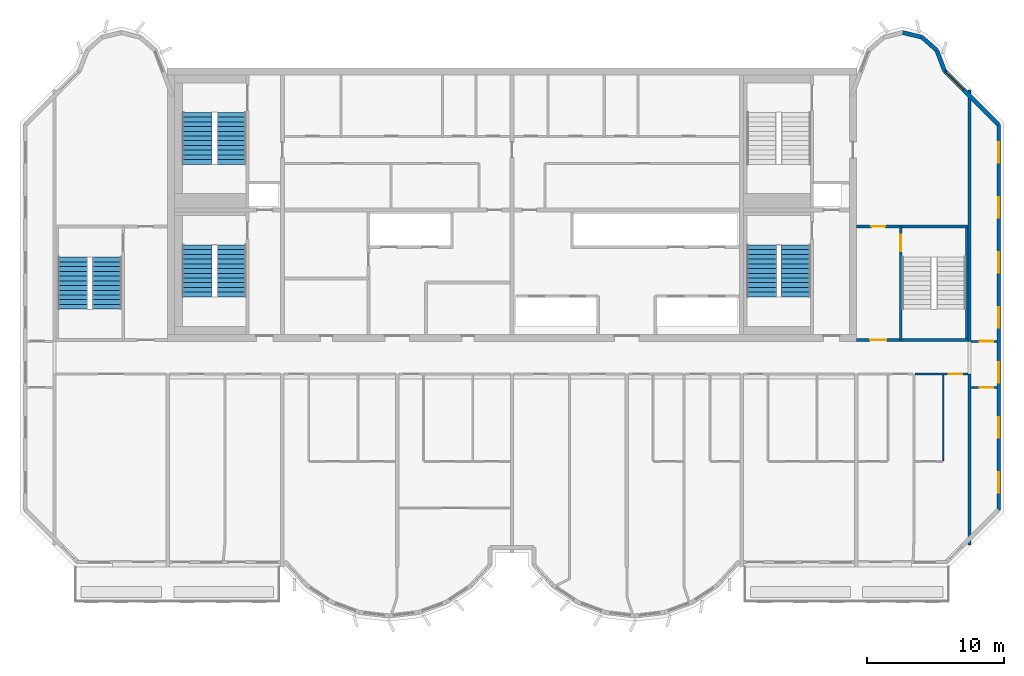
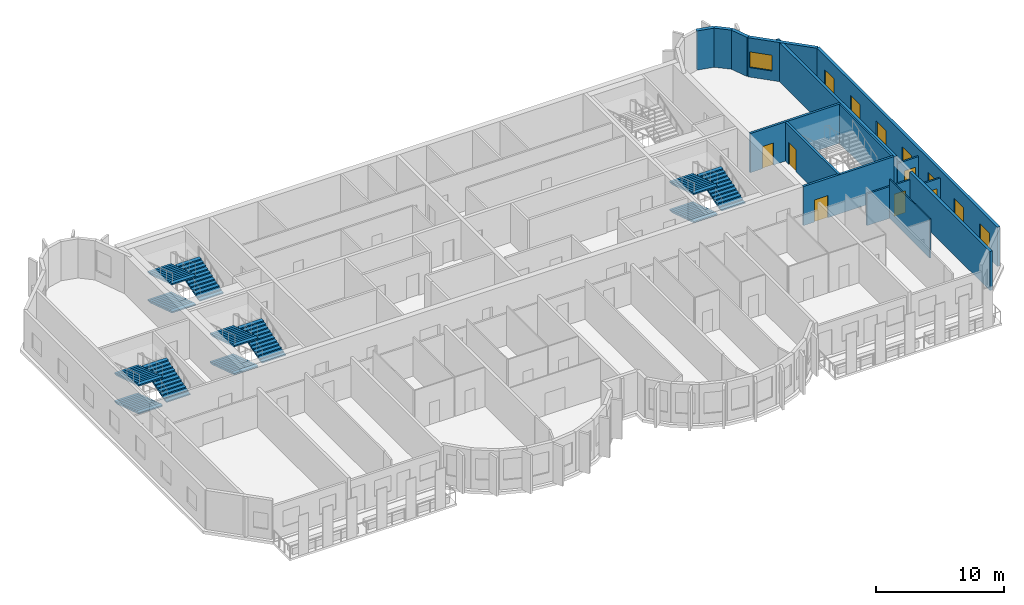
# One storey, part 8 of 12: 15 walls, 12 stair flights, 8 windows, 6 doors, 14 openings, 4 elements without a shape of their own.
"""IFC4 building model written with IfcOpenShell, lengths in metres."""

from ifc_helpers import new_model, si_unit, direction, frame, frame_2d, origin, place, context, subcontext, project, spatial, polyline, rectangle, outline, extrude, source, transform, mapped, material, layer, layer_set, type_object, element, fill, aggregate, save


model = new_model("IFC4")

# Units and contexts
model_context = context("Model", 3, precision=1e-05, world=origin(), true_north=direction((0.0, 1.0)))
body_context = subcontext(model_context, "Body", "Model", "MODEL_VIEW")
ifc_project = project(units=[si_unit("LENGTHUNIT", "METRE"), si_unit("AREAUNIT", "SQUARE_METRE"), si_unit("VOLUMEUNIT", "CUBIC_METRE"), si_unit("PLANEANGLEUNIT", "RADIAN"), si_unit("MASSUNIT", "GRAM", prefix="KILO")], contexts=[model_context])

# Site, building, storey
site_placement = place(None, origin())
site = spatial("IfcSite", under=ifc_project, at=site_placement, CompositionType="ELEMENT")
building_placement = place(site_placement, origin())
building = spatial("IfcBuilding", under=site, at=building_placement, Name="Vanashikhar Sky Hotel", CompositionType="ELEMENT")
storey_placement = place(building_placement, frame((0.0, 0.0, 309.699951171875)))
storey = spatial("IfcBuildingStorey", under=building, at=storey_placement, Name="L74", CompositionType="ELEMENT", Elevation=309.699951171875)

# Walls
ifc_material_1 = material(Name="Concrete M50", Category="concrete")
ifc_layer_1 = layer(ifc_material_1, 0.25)
ifc_layer_set_1 = layer_set([ifc_layer_1], Name="RC shear wall 250 Concrete M50")
wall_type_1 = type_object("IfcWallType", Name="RC shear wall 250 Concrete M50", PredefinedType="SHEAR", material=ifc_layer_set_1)
shared_shape_1 = source(origin(), body_context, "Body", "SweptSolid", [
    extrude(rectangle(XDim=12.5, YDim=0.25, at=frame_2d((6.25, 0.0))), origin(), (0.0, 0.0, 1.0), 3.719970703125),
])
wall_1_placement = place(storey_placement, frame((83.875, 7.10009765625, 0.0), z_axis=(0.0, 0.0, 1.0), x_axis=(0.0, 1.0, 0.0)))
element("IfcWall", 1, at=wall_1_placement, inside=storey, type_object=wall_type_1, Name="CW-L74-XW11-1", PredefinedType="SHEAR", context=body_context, shape_type="MappedRepresentation", body=[
    mapped(shared_shape_1, transform((0.0, 0.0, 0.0), scale=1.0)),
])
shared_shape_2 = source(origin(), body_context, "Body", "SweptSolid", [
    extrude(rectangle(XDim=18.39990234375, YDim=0.25, at=frame_2d((9.199951171875, 0.0))), origin(), (0.0, 0.0, 1.0), 3.719970703125),
])
wall_2_placement = place(storey_placement, frame((83.875, 22.0, 0.0), z_axis=(0.0, 0.0, 1.0), x_axis=(0.0, 1.0, 0.0)))
element("IfcWall", 2, at=wall_2_placement, inside=storey, type_object=wall_type_1, Name="CW-L74-XW11-2", PredefinedType="SHEAR", context=body_context, shape_type="MappedRepresentation", body=[
    mapped(shared_shape_2, transform((0.0, 0.0, 0.0), scale=1.0)),
])

# Wall, opening, window
ifc_layer_2 = layer(ifc_material_1, 0.300048828125)
ifc_layer_set_2 = layer_set([ifc_layer_2], Name="Lobe wall 300")
wall_type_2 = type_object("IfcWallType", Name="Lobe wall 300", PredefinedType="SOLIDWALL", material=ifc_layer_set_2)
shared_shape_3 = source(origin(), body_context, "Body", "SweptSolid", [
    extrude(rectangle(XDim=5.576416015625, YDim=0.300048828125, at=frame_2d((2.7880859375, 0.0))), origin(), (0.0, 0.0, 1.0), 3.719970703125),
])
wall_3_placement = place(storey_placement, frame((86.0, 37.834228515625, 0.0), z_axis=(0.0, 0.0, 1.0), x_axis=(-0.707106781187, 0.707106781187, 0.0)))
wall_3 = element("IfcWall", 3, at=wall_3_placement, inside=storey, type_object=wall_type_2, Name="Corner wall", PredefinedType="SOLIDWALL", context=body_context, shape_type="MappedRepresentation", body=[
    mapped(shared_shape_3, transform((0.0, 0.0, 0.0), scale=1.0)),
])
shared_shape_4 = source(origin(), body_context, "Body", "SweptSolid", [
    extrude(rectangle(XDim=1.800048828125, YDim=1.5, at=frame_2d((0.89990234375, 0.75))), frame((0.0, 0.16015625, 0.0), z_axis=(0.0, -1.0, 0.0), x_axis=(1.0, 0.0, 0.0)), (0.0, 0.0, 1.0), 0.320068359375),
])
opening_1_placement = place(wall_3_placement, frame((3.640869140625, 0.0, 0.89990234375)))
opening_1 = element("IfcOpeningElement", 4, at=opening_1_placement, cuts=wall_3, Name="Opening WN-4", PredefinedType="OPENING", context=body_context, shape_type="MappedRepresentation", body=[
    mapped(shared_shape_4, transform((0.0, 0.0, 0.0), scale=1.0)),
])
ifc_material_2 = material(Name="Glass", Category="glass")
window_type_1 = type_object("IfcWindowType", Name="Corner window 1800 x 1500", PartitioningType="SINGLE_PANEL", PredefinedType="WINDOW", material=ifc_material_2)
shared_shape_5 = source(origin(), body_context, "Body", "SweptSolid", [
    extrude(rectangle(XDim=1.800048828125, YDim=1.5, at=frame_2d((0.89990234375, 0.75))), frame((0.0, 0.030029296875, 0.0), z_axis=(0.0, -1.0, 0.0), x_axis=(1.0, 0.0, 0.0)), (0.0, 0.0, 1.0), 0.06005859375),
])
window_1_placement = place(opening_1_placement, origin())
window_1 = element("IfcWindow", 5, at=window_1_placement, inside=storey, type_object=window_type_1, Name="Window WN-4", OverallHeight=1.5, OverallWidth=1.800048828125, PartitioningType="SINGLE_PANEL", PredefinedType="WINDOW", context=body_context, shape_type="MappedRepresentation", body=[
    mapped(shared_shape_5, transform((0.0, 0.0, 0.0), scale=1.0)),
])
fill(opening_1, window_1)

# Walls
shared_shape_6 = source(origin(), body_context, "Body", "SweptSolid", [
    extrude(rectangle(XDim=1.6220703125, YDim=0.300048828125, at=frame_2d((0.81103515625, 0.0))), origin(), (0.0, 0.0, 1.0), 3.719970703125),
])
wall_4_placement = place(storey_placement, frame((82.056884765625, 41.77734375, 0.0), z_axis=(0.0, 0.0, 1.0), x_axis=(-0.357778527068, 0.933806471154, 0.0)))
element("IfcWall", 6, at=wall_4_placement, inside=storey, type_object=wall_type_2, Name="Lobe wall", PredefinedType="SOLIDWALL", context=body_context, shape_type="MappedRepresentation", body=[
    mapped(shared_shape_6, transform((0.0, 0.0, 0.0), scale=1.0)),
])
shared_shape_7 = source(origin(), body_context, "Body", "SweptSolid", [
    extrude(rectangle(XDim=1.43994140625, YDim=0.300048828125, at=frame_2d((0.719970703125, 0.0))), origin(), (0.0, 0.0, 1.0), 3.719970703125),
])
wall_5_placement = place(storey_placement, frame((81.4765625, 43.2919921875, 0.0), z_axis=(0.0, 0.0, 1.0), x_axis=(-0.74957555648, 0.661918790432, 0.0)))
element("IfcWall", 7, at=wall_5_placement, inside=storey, type_object=wall_type_2, Name="Lobe wall", PredefinedType="SOLIDWALL", context=body_context, shape_type="MappedRepresentation", body=[
    mapped(shared_shape_7, transform((0.0, 0.0, 0.0), scale=1.0)),
])
shared_shape_8 = source(origin(), body_context, "Body", "SweptSolid", [
    extrude(rectangle(XDim=1.438720703125, YDim=0.300048828125, at=frame_2d((0.71923828125, 0.0))), origin(), (0.0, 0.0, 1.0), 3.719970703125),
])
wall_6_placement = place(storey_placement, frame((80.397216796875, 44.2451171875, 0.0), z_axis=(0.0, 0.0, 1.0), x_axis=(-0.971161932466, 0.238420848351, 0.0)))
element("IfcWall", 8, at=wall_6_placement, inside=storey, type_object=wall_type_2, Name="Lobe wall", PredefinedType="SOLIDWALL", context=body_context, shape_type="MappedRepresentation", body=[
    mapped(shared_shape_8, transform((0.0, 0.0, 0.0), scale=1.0)),
])

# Wall, openings, windows
ifc_layer_3 = layer(ifc_material_1, 0.25)
ifc_layer_set_3 = layer_set([ifc_layer_3], Name="Rear and end board-marked wall 250")
wall_type_3 = type_object("IfcWallType", Name="Rear and end board-marked wall 250", PredefinedType="SOLIDWALL", material=ifc_layer_set_3)
shared_shape_9 = source(origin(), body_context, "Body", "SweptSolid", [
    extrude(rectangle(XDim=28.189453125, YDim=0.25, at=frame_2d((14.0947265625, 0.0))), origin(), (0.0, 0.0, 1.0), 3.719970703125),
])
wall_7_placement = place(storey_placement, frame((86.02490234375, 9.6552734375, 0.0), z_axis=(0.0, 0.0, 1.0), x_axis=(0.0, 1.0, 0.0)))
wall_7 = element("IfcWall", 9, at=wall_7_placement, inside=storey, type_object=wall_type_3, Name="End board-marked wall", PredefinedType="SOLIDWALL", context=body_context, shape_type="MappedRepresentation", body=[
    mapped(shared_shape_9, transform((0.0, 0.0, 0.0), scale=1.0)),
])
shared_shape_10 = source(origin(), body_context, "Body", "SweptSolid", [
    extrude(rectangle(XDim=1.5, YDim=1.5, at=frame_2d((0.75, 0.75))), frame((0.0, 0.135009765625, 0.0), z_axis=(0.0, -1.0, 0.0), x_axis=(1.0, 0.0, 0.0)), (0.0, 0.0, 1.0), 0.27001953125),
])
opening_2_placement = place(wall_7_placement, frame((1.263427734375, 0.0, 0.89990234375)))
opening_2 = element("IfcOpeningElement", 10, at=opening_2_placement, cuts=wall_7, Name="Opening WN-1", PredefinedType="OPENING", context=body_context, shape_type="MappedRepresentation", body=[
    mapped(shared_shape_10, transform((0.0, 0.0, 0.0), scale=1.0)),
])
opening_3_placement = place(wall_7_placement, frame((5.29052734375, 0.0, 0.89990234375)))
opening_3 = element("IfcOpeningElement", 11, at=opening_3_placement, cuts=wall_7, Name="Opening WN-1", PredefinedType="OPENING", context=body_context, shape_type="MappedRepresentation", body=[
    mapped(shared_shape_10, transform((0.0, 0.0, 0.0), scale=1.0)),
])
opening_4_placement = place(wall_7_placement, frame((9.317626953125, 0.0, 0.89990234375)))
opening_4 = element("IfcOpeningElement", 12, at=opening_4_placement, cuts=wall_7, Name="Opening WN-1", PredefinedType="OPENING", context=body_context, shape_type="MappedRepresentation", body=[
    mapped(shared_shape_10, transform((0.0, 0.0, 0.0), scale=1.0)),
])
opening_5_placement = place(wall_7_placement, frame((13.3447265625, 0.0, 0.89990234375)))
opening_5 = element("IfcOpeningElement", 13, at=opening_5_placement, cuts=wall_7, Name="Opening WN-1", PredefinedType="OPENING", context=body_context, shape_type="MappedRepresentation", body=[
    mapped(shared_shape_10, transform((0.0, 0.0, 0.0), scale=1.0)),
])
opening_6_placement = place(wall_7_placement, frame((17.371826171875, 0.0, 0.89990234375)))
opening_6 = element("IfcOpeningElement", 14, at=opening_6_placement, cuts=wall_7, Name="Opening WN-1", PredefinedType="OPENING", context=body_context, shape_type="MappedRepresentation", body=[
    mapped(shared_shape_10, transform((0.0, 0.0, 0.0), scale=1.0)),
])
opening_7_placement = place(wall_7_placement, frame((21.398681640625, 0.0, 0.89990234375)))
opening_7 = element("IfcOpeningElement", 15, at=opening_7_placement, cuts=wall_7, Name="Opening WN-1", PredefinedType="OPENING", context=body_context, shape_type="MappedRepresentation", body=[
    mapped(shared_shape_10, transform((0.0, 0.0, 0.0), scale=1.0)),
])
opening_8_placement = place(wall_7_placement, frame((25.42578125, 0.0, 0.89990234375)))
opening_8 = element("IfcOpeningElement", 16, at=opening_8_placement, cuts=wall_7, Name="Opening WN-1", PredefinedType="OPENING", context=body_context, shape_type="MappedRepresentation", body=[
    mapped(shared_shape_10, transform((0.0, 0.0, 0.0), scale=1.0)),
])
window_type_2 = type_object("IfcWindowType", Name="Window 1500 x 1500", PartitioningType="SINGLE_PANEL", PredefinedType="WINDOW", material=ifc_material_2)
shared_shape_11 = source(origin(), body_context, "Body", "SweptSolid", [
    extrude(rectangle(XDim=1.5, YDim=1.5, at=frame_2d((0.75, 0.75))), frame((0.0, 0.030029296875, 0.0), z_axis=(0.0, -1.0, 0.0), x_axis=(1.0, 0.0, 0.0)), (0.0, 0.0, 1.0), 0.06005859375),
])
window_2_placement = place(opening_2_placement, origin())
window_2 = element("IfcWindow", 17, at=window_2_placement, inside=storey, type_object=window_type_2, Name="Window WN-1", OverallHeight=1.5, OverallWidth=1.5, PartitioningType="SINGLE_PANEL", PredefinedType="WINDOW", context=body_context, shape_type="MappedRepresentation", body=[
    mapped(shared_shape_11, transform((0.0, 0.0, 0.0), scale=1.0)),
])
fill(opening_2, window_2)
window_3_placement = place(opening_3_placement, origin())
window_3 = element("IfcWindow", 18, at=window_3_placement, inside=storey, type_object=window_type_2, Name="Window WN-1", OverallHeight=1.5, OverallWidth=1.5, PartitioningType="SINGLE_PANEL", PredefinedType="WINDOW", context=body_context, shape_type="MappedRepresentation", body=[
    mapped(shared_shape_11, transform((0.0, 0.0, 0.0), scale=1.0)),
])
fill(opening_3, window_3)
window_4_placement = place(opening_4_placement, origin())
window_4 = element("IfcWindow", 19, at=window_4_placement, inside=storey, type_object=window_type_2, Name="Window WN-1", OverallHeight=1.5, OverallWidth=1.5, PartitioningType="SINGLE_PANEL", PredefinedType="WINDOW", context=body_context, shape_type="MappedRepresentation", body=[
    mapped(shared_shape_11, transform((0.0, 0.0, 0.0), scale=1.0)),
])
fill(opening_4, window_4)
window_5_placement = place(opening_5_placement, origin())
window_5 = element("IfcWindow", 20, at=window_5_placement, inside=storey, type_object=window_type_2, Name="Window WN-1", OverallHeight=1.5, OverallWidth=1.5, PartitioningType="SINGLE_PANEL", PredefinedType="WINDOW", context=body_context, shape_type="MappedRepresentation", body=[
    mapped(shared_shape_11, transform((0.0, 0.0, 0.0), scale=1.0)),
])
fill(opening_5, window_5)
window_6_placement = place(opening_6_placement, origin())
window_6 = element("IfcWindow", 21, at=window_6_placement, inside=storey, type_object=window_type_2, Name="Window WN-1", OverallHeight=1.5, OverallWidth=1.5, PartitioningType="SINGLE_PANEL", PredefinedType="WINDOW", context=body_context, shape_type="MappedRepresentation", body=[
    mapped(shared_shape_11, transform((0.0, 0.0, 0.0), scale=1.0)),
])
fill(opening_6, window_6)
window_7_placement = place(opening_7_placement, origin())
window_7 = element("IfcWindow", 22, at=window_7_placement, inside=storey, type_object=window_type_2, Name="Window WN-1", OverallHeight=1.5, OverallWidth=1.5, PartitioningType="SINGLE_PANEL", PredefinedType="WINDOW", context=body_context, shape_type="MappedRepresentation", body=[
    mapped(shared_shape_11, transform((0.0, 0.0, 0.0), scale=1.0)),
])
fill(opening_7, window_7)
window_8_placement = place(opening_8_placement, origin())
window_8 = element("IfcWindow", 23, at=window_8_placement, inside=storey, type_object=window_type_2, Name="Window WN-1", OverallHeight=1.5, OverallWidth=1.5, PartitioningType="SINGLE_PANEL", PredefinedType="WINDOW", context=body_context, shape_type="MappedRepresentation", body=[
    mapped(shared_shape_11, transform((0.0, 0.0, 0.0), scale=1.0)),
])
fill(opening_8, window_8)

# Wall, opening, door
ifc_layer_4 = layer(ifc_material_1, 0.199951171875)
ifc_layer_set_4 = layer_set([ifc_layer_4], Name="Stair wall 200")
wall_type_4 = type_object("IfcWallType", Name="Stair wall 200", PredefinedType="SOLIDWALL", material=ifc_layer_set_4)
shared_shape_12 = source(origin(), body_context, "Body", "SweptSolid", [
    extrude(rectangle(XDim=8.2998046875, YDim=0.199951171875, at=frame_2d((4.14990234375, 0.0))), origin(), (0.0, 0.0, 1.0), 3.719970703125),
])
wall_8_placement = place(storey_placement, frame((78.85009765625, 22.10009765625, 0.0), z_axis=(0.0, 0.0, 1.0), x_axis=(0.0, 1.0, 0.0)))
wall_8 = element("IfcWall", 24, at=wall_8_placement, inside=storey, type_object=wall_type_4, Name="Stair wall 200", PredefinedType="SOLIDWALL", context=body_context, shape_type="MappedRepresentation", body=[
    mapped(shared_shape_12, transform((0.0, 0.0, 0.0), scale=1.0)),
])
shared_shape_13 = source(origin(), body_context, "Body", "SweptSolid", [
    extrude(rectangle(XDim=1.199951171875, YDim=2.10009765625, at=frame_2d((0.60009765625, 1.050048828125))), frame((0.0, 0.10986328125, 0.0), z_axis=(0.0, -1.0, 0.0), x_axis=(1.0, 0.0, 0.0)), (0.0, 0.0, 1.0), 0.219970703125),
])
opening_9_placement = place(wall_8_placement, frame((6.5, 0.0, 0.0)))
opening_9 = element("IfcOpeningElement", 25, at=opening_9_placement, cuts=wall_8, Name="Opening DC-1", PredefinedType="OPENING", context=body_context, shape_type="MappedRepresentation", body=[
    mapped(shared_shape_13, transform((0.0, 0.0, 0.0), scale=1.0)),
])
ifc_material_3 = material(Name="Steel", Category="steel")
door_type_1 = type_object("IfcDoorType", Name="Stair door 1200 FD120", OperationType="NOTDEFINED", PredefinedType="DOOR", material=ifc_material_3)
shared_shape_14 = source(origin(), body_context, "Body", "SweptSolid", [
    extrude(rectangle(XDim=1.199951171875, YDim=2.10009765625, at=frame_2d((0.60009765625, 1.050048828125))), frame((0.0, 0.02490234375, 0.0), z_axis=(0.0, -1.0, 0.0), x_axis=(1.0, 0.0, 0.0)), (0.0, 0.0, 1.0), 0.050048828125),
])
door_1_placement = place(opening_9_placement, origin())
door_1 = element("IfcDoor", 26, at=door_1_placement, inside=storey, type_object=door_type_1, Name="Stair door 1200 FD120", OperationType="SINGLE_SWING_LEFT", OverallHeight=2.10009765625, OverallWidth=1.199951171875, PredefinedType="DOOR", context=body_context, shape_type="MappedRepresentation", body=[
    mapped(shared_shape_14, transform((0.0, 0.0, 0.0), scale=1.0)),
])
fill(opening_9, door_1)

shared_shape_15 = source(origin(), body_context, "Body", "SweptSolid", [
    extrude(rectangle(XDim=8.14990234375, YDim=0.199951171875, at=frame_2d((4.074951171875, 0.0))), origin(), (0.0, 0.0, 1.0), 3.719970703125),
])
wall_9_placement = place(storey_placement, frame((83.75, 22.10009765625, 0.0), z_axis=(0.0, 0.0, 1.0), x_axis=(-1.0, 0.0, 0.0)))
wall_9 = element("IfcWall", 27, at=wall_9_placement, inside=storey, type_object=wall_type_4, Name="Stair wall 200", PredefinedType="SOLIDWALL", context=body_context, shape_type="MappedRepresentation", body=[
    mapped(shared_shape_15, transform((0.0, 0.0, 0.0), scale=1.0)),
])
opening_10_placement = place(wall_9_placement, frame((5.949951171875, 0.0, 0.0)))
opening_10 = element("IfcOpeningElement", 28, at=opening_10_placement, cuts=wall_9, Name="Opening DC-2", PredefinedType="OPENING", context=body_context, shape_type="MappedRepresentation", body=[
    mapped(shared_shape_13, transform((0.0, 0.0, 0.0), scale=1.0)),
])
door_type_2 = type_object("IfcDoorType", Name="Firefighting lobby door 1200 FD120", OperationType="NOTDEFINED", PredefinedType="DOOR", material=ifc_material_3)
door_2_placement = place(opening_10_placement, origin())
door_2 = element("IfcDoor", 29, at=door_2_placement, inside=storey, type_object=door_type_2, Name="Firefighting lobby door 1200 FD120", OperationType="SINGLE_SWING_LEFT", OverallHeight=2.10009765625, OverallWidth=1.199951171875, PredefinedType="DOOR", context=body_context, shape_type="MappedRepresentation", body=[
    mapped(shared_shape_14, transform((0.0, 0.0, 0.0), scale=1.0)),
])
fill(opening_10, door_2)

wall_10_placement = place(storey_placement, frame((83.75, 30.39990234375, 0.0), z_axis=(0.0, 0.0, 1.0), x_axis=(-1.0, 0.0, 0.0)))
wall_10 = element("IfcWall", 30, at=wall_10_placement, inside=storey, type_object=wall_type_4, Name="Stair wall 200", PredefinedType="SOLIDWALL", context=body_context, shape_type="MappedRepresentation", body=[
    mapped(shared_shape_15, transform((0.0, 0.0, 0.0), scale=1.0)),
])
shared_shape_16 = source(origin(), body_context, "Body", "SweptSolid", [
    extrude(rectangle(XDim=1.0, YDim=2.10009765625, at=frame_2d((0.5, 1.050048828125))), frame((0.0, 0.10986328125, 0.0), z_axis=(0.0, -1.0, 0.0), x_axis=(1.0, 0.0, 0.0)), (0.0, 0.0, 1.0), 0.219970703125),
])
opening_11_placement = place(wall_10_placement, frame((6.050048828125, 0.0, 0.0)))
opening_11 = element("IfcOpeningElement", 31, at=opening_11_placement, cuts=wall_10, Name="Opening DC-6", PredefinedType="OPENING", context=body_context, shape_type="MappedRepresentation", body=[
    mapped(shared_shape_16, transform((0.0, 0.0, 0.0), scale=1.0)),
])
door_type_3 = type_object("IfcDoorType", Name="Pocket door 1000 FD60", OperationType="NOTDEFINED", PredefinedType="DOOR", material=ifc_material_3)
shared_shape_17 = source(origin(), body_context, "Body", "SweptSolid", [
    extrude(rectangle(XDim=1.0, YDim=2.10009765625, at=frame_2d((0.5, 1.050048828125))), frame((0.0, 0.02490234375, 0.0), z_axis=(0.0, -1.0, 0.0), x_axis=(1.0, 0.0, 0.0)), (0.0, 0.0, 1.0), 0.050048828125),
])
door_3_placement = place(opening_11_placement, origin())
door_3 = element("IfcDoor", 32, at=door_3_placement, inside=storey, type_object=door_type_3, Name="Pocket door 1000 FD60", OperationType="SINGLE_SWING_LEFT", OverallHeight=2.10009765625, OverallWidth=1.0, PredefinedType="DOOR", context=body_context, shape_type="MappedRepresentation", body=[
    mapped(shared_shape_17, transform((0.0, 0.0, 0.0), scale=1.0)),
])
fill(opening_11, door_3)

# Walls
ifc_layer_5 = layer(ifc_material_1, 0.14990234375)
ifc_layer_set_5 = layer_set([ifc_layer_5], Name="Stair infill wall 150")
wall_type_5 = type_object("IfcWallType", Name="Stair infill wall 150", PredefinedType="SOLIDWALL", material=ifc_layer_set_5)
shared_shape_18 = source(origin(), body_context, "Body", "SweptSolid", [
    extrude(rectangle(XDim=8.10009765625, YDim=0.14990234375, at=frame_2d((4.050048828125, 0.0))), origin(), (0.0, 0.0, 1.0), 3.719970703125),
])
wall_11_placement = place(storey_placement, frame((83.675048828125, 22.199951171875, 0.0), z_axis=(0.0, 0.0, 1.0), x_axis=(0.0, 1.0, 0.0)))
element("IfcWall", 33, at=wall_11_placement, inside=storey, type_object=wall_type_5, Name="Stair infill wall 150", PredefinedType="SOLIDWALL", context=body_context, shape_type="MappedRepresentation", body=[
    mapped(shared_shape_18, transform((0.0, 0.0, 0.0), scale=1.0)),
])
ifc_material_4 = material(Name="Gypsum plasterboard partition")
ifc_layer_6 = layer(ifc_material_4, 0.10009765625)
ifc_layer_set_6 = layer_set([ifc_layer_6], Name="Wet room partition 100")
wall_type_6 = type_object("IfcWallType", Name="Wet room partition 100", PredefinedType="PARTITIONING", material=ifc_layer_set_6)
shared_shape_19 = source(origin(), body_context, "Body", "SweptSolid", [
    extrude(rectangle(XDim=6.25, YDim=0.10009765625, at=frame_2d((3.125, 0.0))), origin(), (0.0, 0.0, 1.0), 3.719970703125),
])
wall_12_placement = place(storey_placement, frame((81.949951171875, 13.27490234375, 0.0), z_axis=(0.0, 0.0, 1.0), x_axis=(0.0, 1.0, 0.0)))
element("IfcWall", 34, at=wall_12_placement, inside=storey, type_object=wall_type_6, Name="W-L74-PW034", PredefinedType="PARTITIONING", context=body_context, shape_type="MappedRepresentation", body=[
    mapped(shared_shape_19, transform((0.0, 0.0, 0.0), scale=1.0)),
])

# Wall, opening, door
ifc_layer_7 = layer(ifc_material_4, 0.14990234375)
ifc_layer_set_7 = layer_set([ifc_layer_7], Name="Corridor and demising partition 150")
wall_type_7 = type_object("IfcWallType", Name="Corridor and demising partition 150", PredefinedType="PARTITIONING", material=ifc_layer_set_7)
shared_shape_20 = source(origin(), body_context, "Body", "SweptSolid", [
    extrude(rectangle(XDim=1.89990234375, YDim=0.14990234375, at=frame_2d((0.949951171875, 0.0))), origin(), (0.0, 0.0, 1.0), 3.02001953125),
])
wall_13_placement = place(storey_placement, frame((84.0, 22.0, 0.0), z_axis=(0.0, 0.0, 1.0), x_axis=(1.0, 0.0, 0.0)))
wall_13 = element("IfcWall", 35, at=wall_13_placement, inside=storey, type_object=wall_type_7, Name="W-L74-PW041", PredefinedType="PARTITIONING", context=body_context, shape_type="MappedRepresentation", body=[
    mapped(shared_shape_20, transform((0.0, 0.0, 0.0), scale=1.0)),
])
shared_shape_21 = source(origin(), body_context, "Body", "SweptSolid", [
    extrude(rectangle(XDim=1.0, YDim=2.10009765625, at=frame_2d((0.5, 1.050048828125))), frame((0.0, 0.0849609375, 0.0), z_axis=(0.0, -1.0, 0.0), x_axis=(1.0, 0.0, 0.0)), (0.0, 0.0, 1.0), 0.169921875),
])
opening_12_placement = place(wall_13_placement, frame((0.625, 0.0, 0.0)))
opening_12 = element("IfcOpeningElement", 36, at=opening_12_placement, cuts=wall_13, Name="Opening D-01", PredefinedType="OPENING", context=body_context, shape_type="MappedRepresentation", body=[
    mapped(shared_shape_21, transform((0.0, 0.0, 0.0), scale=1.0)),
])
ifc_material_5 = material(Name="Timber fire door", Category="wood")
door_type_4 = type_object("IfcDoorType", Name="Guest entry door 1000 FD30S", OperationType="NOTDEFINED", PredefinedType="DOOR", material=ifc_material_5)
door_4_placement = place(opening_12_placement, origin())
door_4 = element("IfcDoor", 37, at=door_4_placement, inside=storey, type_object=door_type_4, Name="D-L74-025", OperationType="SINGLE_SWING_RIGHT", OverallHeight=2.10009765625, OverallWidth=1.0, PredefinedType="DOOR", context=body_context, shape_type="MappedRepresentation", body=[
    mapped(shared_shape_17, transform((0.0, 0.0, 0.0), scale=1.0)),
])
fill(opening_12, door_4)

wall_14_placement = place(storey_placement, frame((84.0, 18.6279296875, 0.0), z_axis=(0.0, 0.0, 1.0), x_axis=(1.0, 0.0, 0.0)))
wall_14 = element("IfcWall", 38, at=wall_14_placement, inside=storey, type_object=wall_type_7, Name="W-L74-PW043", PredefinedType="PARTITIONING", context=body_context, shape_type="MappedRepresentation", body=[
    mapped(shared_shape_20, transform((0.0, 0.0, 0.0), scale=1.0)),
])
opening_13_placement = place(wall_14_placement, frame((0.625, 0.0, 0.0)))
opening_13 = element("IfcOpeningElement", 39, at=opening_13_placement, cuts=wall_14, Name="Opening D-01", PredefinedType="OPENING", context=body_context, shape_type="MappedRepresentation", body=[
    mapped(shared_shape_21, transform((0.0, 0.0, 0.0), scale=1.0)),
])
door_5_placement = place(opening_13_placement, origin())
door_5 = element("IfcDoor", 40, at=door_5_placement, inside=storey, type_object=door_type_4, Name="D-L74-027", OperationType="SINGLE_SWING_RIGHT", OverallHeight=2.10009765625, OverallWidth=1.0, PredefinedType="DOOR", context=body_context, shape_type="MappedRepresentation", body=[
    mapped(shared_shape_17, transform((0.0, 0.0, 0.0), scale=1.0)),
])
fill(opening_13, door_5)

shared_shape_22 = source(origin(), body_context, "Body", "SweptSolid", [
    extrude(rectangle(XDim=3.875, YDim=0.14990234375, at=frame_2d((1.9375, 0.0))), origin(), (0.0, 0.0, 1.0), 3.02001953125),
])
wall_15_placement = place(storey_placement, frame((79.875, 19.60009765625, 0.0), z_axis=(0.0, 0.0, 1.0), x_axis=(1.0, 0.0, 0.0)))
wall_15 = element("IfcWall", 41, at=wall_15_placement, inside=storey, type_object=wall_type_7, Name="W-L74-PW036", PredefinedType="PARTITIONING", context=body_context, shape_type="MappedRepresentation", body=[
    mapped(shared_shape_22, transform((0.0, 0.0, 0.0), scale=1.0)),
])
opening_14_placement = place(wall_15_placement, frame((2.47509765625, 0.0, 0.0)))
opening_14 = element("IfcOpeningElement", 42, at=opening_14_placement, cuts=wall_15, Name="Opening D-01", PredefinedType="OPENING", context=body_context, shape_type="MappedRepresentation", body=[
    mapped(shared_shape_21, transform((0.0, 0.0, 0.0), scale=1.0)),
])
door_6_placement = place(opening_14_placement, origin())
door_6 = element("IfcDoor", 43, at=door_6_placement, inside=storey, type_object=door_type_4, Name="D-L74-023", OperationType="SINGLE_SWING_RIGHT", OverallHeight=2.10009765625, OverallWidth=1.0, PredefinedType="DOOR", context=body_context, shape_type="MappedRepresentation", body=[
    mapped(shared_shape_17, transform((0.0, 0.0, 0.0), scale=1.0)),
])
fill(opening_14, door_6)

# Stair, stair flights
ifc_material_6 = material(Name="Concrete M40", Category="concrete")
stair_type = type_object("IfcStairType", Name="Exit stair 2150", PredefinedType="DOUBLE_RETURN_STAIR", material=ifc_material_6)
stair_1_placement = place(storey_placement, origin())
stair_1 = element("IfcStair", 44, at=stair_1_placement, inside=storey, type_object=stair_type, Name="L74 Exit stair 1", PredefinedType="DOUBLE_RETURN_STAIR")
stair_flight_type = type_object("IfcStairFlightType", Name="Stair flight 2150", PredefinedType="STRAIGHT", material=ifc_material_6)
shared_shape_23 = source(origin(), body_context, "Body", "SweptSolid", [
    extrude(outline(polyline([(0.0, 0.0), (0.0, 0.111083984375), (0.345458984375, 0.111083984375), (0.345458984375, 0.22216796875), (0.69091796875, 0.22216796875), (0.69091796875, 0.333251953125), (1.036376953125, 0.333251953125), (1.036376953125, 0.4443359375), (1.3818359375, 0.4443359375), (1.3818359375, 0.5556640625), (1.727294921875, 0.5556640625), (1.727294921875, 0.666748046875), (2.07275390625, 0.666748046875), (2.07275390625, 0.77783203125), (2.418212890625, 0.77783203125), (2.418212890625, 0.888916015625), (2.763671875, 0.888916015625), (2.763671875, 1.0), (3.109130859375, 1.0), (3.109130859375, 1.111083984375), (3.45458984375, 1.111083984375), (3.45458984375, 1.22216796875), (3.800048828125, 1.22216796875), (3.800048828125, 1.333251953125), (3.800048828125, 1.095947265625), (0.392333984375, 0.0), (0.0, 0.0)])), frame((0.0, 1.074951171875, 0.0), z_axis=(0.0, -1.0, 0.0), x_axis=(1.0, 0.0, 0.0)), (0.0, 0.0, 1.0), 2.14990234375),
])
stair_flight_1_placement = place(storey_placement, frame((27.375, 29.050048828125, 0.0), z_axis=(0.0, 0.0, 1.0), x_axis=(0.0, -1.0, 0.0)))
stair_flight_1 = element("IfcStairFlight", 45, at=stair_flight_1_placement, type_object=stair_flight_type, Name="ST-C1 flight 1", NumberOfRisers=12, NumberOfTreads=11, PredefinedType="STRAIGHT", RiserHeight=0.111111111, TreadLength=0.345454545, context=body_context, shape_type="MappedRepresentation", body=[
    mapped(shared_shape_23, transform((0.0, 0.0, 0.0), scale=1.0)),
])
stair_flight_2_placement = place(storey_placement, frame((29.875, 25.25, 1.33349609375), z_axis=(0.0, 0.0, 1.0), x_axis=(0.0, 1.0, 0.0)))
stair_flight_2 = element("IfcStairFlight", 46, at=stair_flight_2_placement, type_object=stair_flight_type, Name="ST-C1 flight 2", NumberOfRisers=12, NumberOfTreads=11, PredefinedType="STRAIGHT", RiserHeight=0.111111111, TreadLength=0.345454545, context=body_context, shape_type="MappedRepresentation", body=[
    mapped(shared_shape_23, transform((0.0, 0.0, 0.0), scale=1.0)),
])
stair_flight_3_placement = place(storey_placement, frame((27.375, 29.050048828125, 2.666748046875), z_axis=(0.0, 0.0, 1.0), x_axis=(0.0, -1.0, 0.0)))
stair_flight_3 = element("IfcStairFlight", 47, at=stair_flight_3_placement, type_object=stair_flight_type, Name="ST-C1 flight 3", NumberOfRisers=12, NumberOfTreads=11, PredefinedType="STRAIGHT", RiserHeight=0.111111111, TreadLength=0.345454545, context=body_context, shape_type="MappedRepresentation", body=[
    mapped(shared_shape_23, transform((0.0, 0.0, 0.0), scale=1.0)),
])
aggregate(stair_1, [stair_flight_1, stair_flight_2, stair_flight_3])

stair_2_placement = place(storey_placement, origin())
stair_2 = element("IfcStair", 48, at=stair_2_placement, inside=storey, type_object=stair_type, Name="L74 Exit stair 2", PredefinedType="DOUBLE_RETURN_STAIR")
stair_flight_4_placement = place(storey_placement, frame((68.675048828125, 29.050048828125, 0.0), z_axis=(0.0, 0.0, 1.0), x_axis=(0.0, -1.0, 0.0)))
stair_flight_4 = element("IfcStairFlight", 49, at=stair_flight_4_placement, type_object=stair_flight_type, Name="ST-C2 flight 1", NumberOfRisers=12, NumberOfTreads=11, PredefinedType="STRAIGHT", RiserHeight=0.111111111, TreadLength=0.345454545, context=body_context, shape_type="MappedRepresentation", body=[
    mapped(shared_shape_23, transform((0.0, 0.0, 0.0), scale=1.0)),
])
stair_flight_5_placement = place(storey_placement, frame((71.175048828125, 25.25, 1.33349609375), z_axis=(0.0, 0.0, 1.0), x_axis=(0.0, 1.0, 0.0)))
stair_flight_5 = element("IfcStairFlight", 50, at=stair_flight_5_placement, type_object=stair_flight_type, Name="ST-C2 flight 2", NumberOfRisers=12, NumberOfTreads=11, PredefinedType="STRAIGHT", RiserHeight=0.111111111, TreadLength=0.345454545, context=body_context, shape_type="MappedRepresentation", body=[
    mapped(shared_shape_23, transform((0.0, 0.0, 0.0), scale=1.0)),
])
stair_flight_6_placement = place(storey_placement, frame((68.675048828125, 29.050048828125, 2.666748046875), z_axis=(0.0, 0.0, 1.0), x_axis=(0.0, -1.0, 0.0)))
stair_flight_6 = element("IfcStairFlight", 51, at=stair_flight_6_placement, type_object=stair_flight_type, Name="ST-C2 flight 3", NumberOfRisers=12, NumberOfTreads=11, PredefinedType="STRAIGHT", RiserHeight=0.111111111, TreadLength=0.345454545, context=body_context, shape_type="MappedRepresentation", body=[
    mapped(shared_shape_23, transform((0.0, 0.0, 0.0), scale=1.0)),
])
aggregate(stair_2, [stair_flight_4, stair_flight_5, stair_flight_6])

stair_3_placement = place(storey_placement, origin())
stair_3 = element("IfcStair", 52, at=stair_3_placement, inside=storey, type_object=stair_type, Name="L74 Exit stair 3", PredefinedType="DOUBLE_RETURN_STAIR")
stair_flight_7_placement = place(storey_placement, frame((18.27490234375, 28.14990234375, 0.0), z_axis=(0.0, 0.0, 1.0), x_axis=(0.0, -1.0, 0.0)))
stair_flight_7 = element("IfcStairFlight", 53, at=stair_flight_7_placement, type_object=stair_flight_type, Name="ST-W flight 1", NumberOfRisers=12, NumberOfTreads=11, PredefinedType="STRAIGHT", RiserHeight=0.111111111, TreadLength=0.345454545, context=body_context, shape_type="MappedRepresentation", body=[
    mapped(shared_shape_23, transform((0.0, 0.0, 0.0), scale=1.0)),
])
stair_flight_8_placement = place(storey_placement, frame((20.77490234375, 24.35009765625, 1.33349609375), z_axis=(0.0, 0.0, 1.0), x_axis=(0.0, 1.0, 0.0)))
stair_flight_8 = element("IfcStairFlight", 54, at=stair_flight_8_placement, type_object=stair_flight_type, Name="ST-W flight 2", NumberOfRisers=12, NumberOfTreads=11, PredefinedType="STRAIGHT", RiserHeight=0.111111111, TreadLength=0.345454545, context=body_context, shape_type="MappedRepresentation", body=[
    mapped(shared_shape_23, transform((0.0, 0.0, 0.0), scale=1.0)),
])
stair_flight_9_placement = place(storey_placement, frame((18.27490234375, 28.14990234375, 2.666748046875), z_axis=(0.0, 0.0, 1.0), x_axis=(0.0, -1.0, 0.0)))
stair_flight_9 = element("IfcStairFlight", 55, at=stair_flight_9_placement, type_object=stair_flight_type, Name="ST-W flight 3", NumberOfRisers=12, NumberOfTreads=11, PredefinedType="STRAIGHT", RiserHeight=0.111111111, TreadLength=0.345454545, context=body_context, shape_type="MappedRepresentation", body=[
    mapped(shared_shape_23, transform((0.0, 0.0, 0.0), scale=1.0)),
])
aggregate(stair_3, [stair_flight_7, stair_flight_8, stair_flight_9])

stair_4_placement = place(storey_placement, origin())
stair_4 = element("IfcStair", 56, at=stair_4_placement, inside=storey, type_object=stair_type, Name="L74 Exit stair 5", PredefinedType="DOUBLE_RETURN_STAIR")
stair_flight_10_placement = place(storey_placement, frame((27.375, 38.75, 0.0), z_axis=(0.0, 0.0, 1.0), x_axis=(0.0, -1.0, 0.0)))
stair_flight_10 = element("IfcStairFlight", 57, at=stair_flight_10_placement, type_object=stair_flight_type, Name="ST-C3 flight 1", NumberOfRisers=12, NumberOfTreads=11, PredefinedType="STRAIGHT", RiserHeight=0.111111111, TreadLength=0.345454545, context=body_context, shape_type="MappedRepresentation", body=[
    mapped(shared_shape_23, transform((0.0, 0.0, 0.0), scale=1.0)),
])
stair_flight_11_placement = place(storey_placement, frame((29.875, 34.949951171875, 1.33349609375), z_axis=(0.0, 0.0, 1.0), x_axis=(0.0, 1.0, 0.0)))
stair_flight_11 = element("IfcStairFlight", 58, at=stair_flight_11_placement, type_object=stair_flight_type, Name="ST-C3 flight 2", NumberOfRisers=12, NumberOfTreads=11, PredefinedType="STRAIGHT", RiserHeight=0.111111111, TreadLength=0.345454545, context=body_context, shape_type="MappedRepresentation", body=[
    mapped(shared_shape_23, transform((0.0, 0.0, 0.0), scale=1.0)),
])
stair_flight_12_placement = place(storey_placement, frame((27.375, 38.75, 2.666748046875), z_axis=(0.0, 0.0, 1.0), x_axis=(0.0, -1.0, 0.0)))
stair_flight_12 = element("IfcStairFlight", 59, at=stair_flight_12_placement, type_object=stair_flight_type, Name="ST-C3 flight 3", NumberOfRisers=12, NumberOfTreads=11, PredefinedType="STRAIGHT", RiserHeight=0.111111111, TreadLength=0.345454545, context=body_context, shape_type="MappedRepresentation", body=[
    mapped(shared_shape_23, transform((0.0, 0.0, 0.0), scale=1.0)),
])
aggregate(stair_4, [stair_flight_10, stair_flight_11, stair_flight_12])

save(model, "model.ifc")
